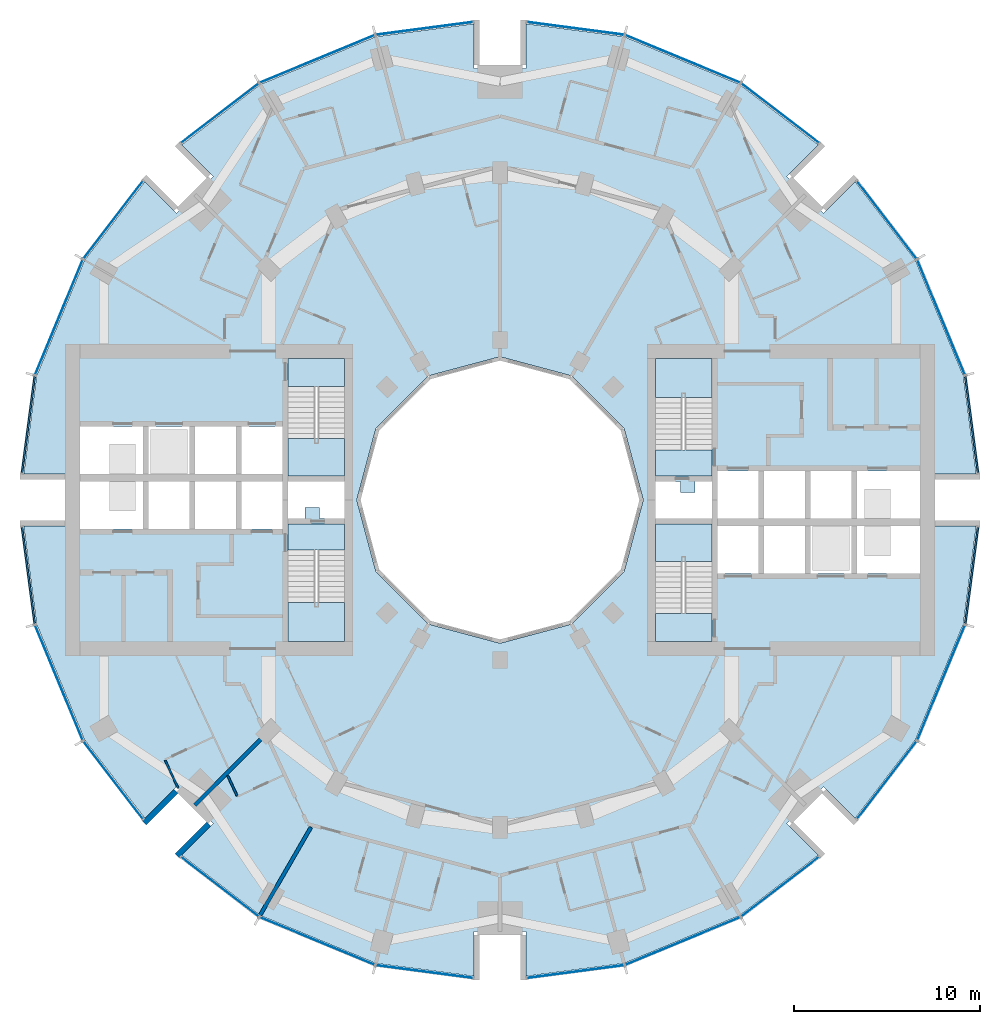
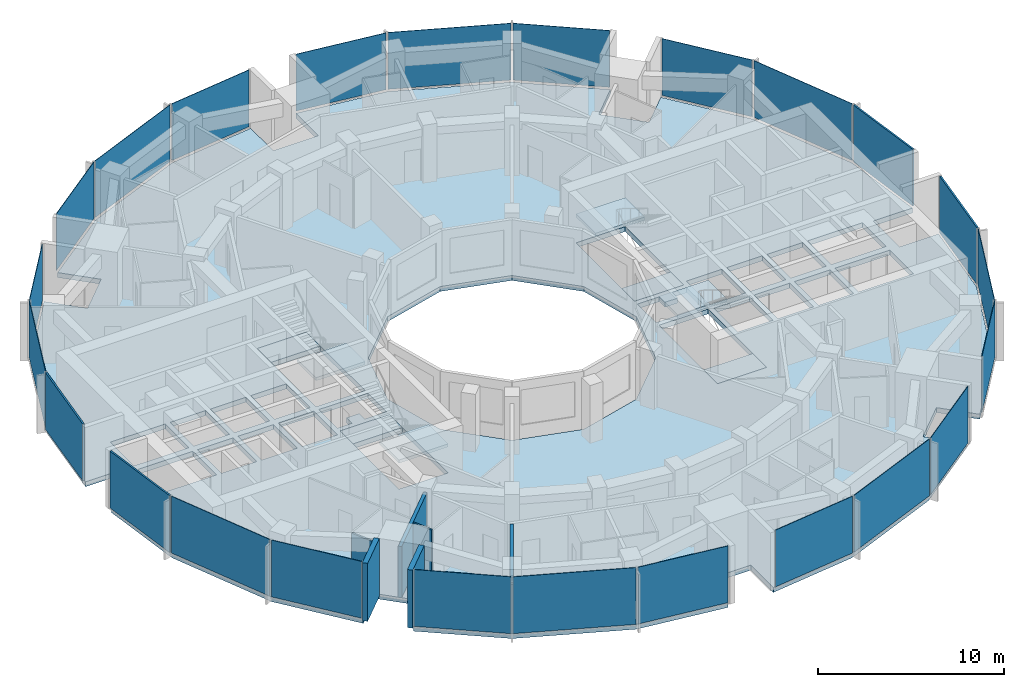
# One storey, part 7 of 15: 24 plates, 9 slabs, 6 walls, 28 elements without a shape of their own.
"""IFC4 building model written with IfcOpenShell, lengths in metres."""

from ifc_helpers import new_model, si_unit, direction, frame, frame_2d, origin, origin_2d, place, context, subcontext, project, spatial, polyline, rectangle, outline, extrude, material, layer, layer_set, type_object, element, aggregate, save


model = new_model("IFC4")

# Units and contexts
model_context = context("Model", 3, precision=1e-05, world=origin(), true_north=direction((0.0, 1.0)))
body_context = subcontext(model_context, "Body", "Model", "MODEL_VIEW")
ifc_project = project(units=[si_unit("LENGTHUNIT", "METRE"), si_unit("AREAUNIT", "SQUARE_METRE"), si_unit("VOLUMEUNIT", "CUBIC_METRE"), si_unit("PLANEANGLEUNIT", "RADIAN"), si_unit("MASSUNIT", "GRAM", prefix="KILO")], contexts=[model_context])

# Site, building, storey
site_placement = place(None, origin())
site = spatial("IfcSite", under=ifc_project, at=site_placement, CompositionType="ELEMENT")
building_placement = place(site_placement, origin())
building = spatial("IfcBuilding", under=site, at=building_placement, Name="Torre Brocal", CompositionType="ELEMENT")
storey_placement = place(building_placement, frame((0.0, 0.0, 90.0)))
storey = spatial("IfcBuildingStorey", under=building, at=storey_placement, Name="L20", CompositionType="ELEMENT", Elevation=90.0)

# Curtain wall, plate
ifc_material_1 = material(Name="Aluminium and glass", Category="aluminium")
ifc_layer_1 = layer(ifc_material_1, 0.199951171875)
ifc_layer_set_1 = layer_set([ifc_layer_1], Name="Aluminium and glass")
curtain_wall_type_1 = type_object("IfcCurtainWallType", Name="CW-1 CURTAIN WALL 3800 HIGH", PredefinedType="NOTDEFINED", material=ifc_layer_set_1)
curtain_wall_1_placement = place(storey_placement, origin())
curtain_wall_1 = element("IfcCurtainWall", 1, at=curtain_wall_1_placement, inside=storey, type_object=curtain_wall_type_1, Name="CW-1 RUN 2", PredefinedType="NOTDEFINED")
ifc_material_2 = material(Name="Glass, dark tinted laminated", Category="glass")
ifc_layer_2 = layer(ifc_material_2, 0.031982421875)
ifc_layer_set_2 = layer_set([ifc_layer_2], Name="Glass, dark tinted laminated")
plate_type_1 = type_object("IfcPlateType", Name="CW-1 GLASS PANEL 32", PredefinedType="CURTAIN_PANEL", material=ifc_layer_set_2)
plate_1_placement = place(storey_placement, frame((103.722900390625, 84.826416015625, 0.080078125), z_axis=(0.0, 0.0, 1.0), x_axis=(-0.382683432333, 0.923879532525, 0.0)))
plate_1 = element("IfcPlate", 2, at=plate_1_placement, type_object=plate_type_1, Name="CW1-1 panel 1.1", PredefinedType="CURTAIN_PANEL", context=body_context, shape_type="SweptSolid", body=[
    extrude(rectangle(XDim=6.64111328125, YDim=0.031982421875, at=origin_2d()), origin(), (0.0, 0.0, 1.0), 3.719970703125),
])
aggregate(curtain_wall_1, [plate_1])

curtain_wall_2_placement = place(storey_placement, origin())
curtain_wall_2 = element("IfcCurtainWall", 3, at=curtain_wall_2_placement, inside=storey, type_object=curtain_wall_type_1, Name="CW-1 RUN 3", PredefinedType="NOTDEFINED")
plate_2_placement = place(storey_placement, frame((100.80126953125, 90.0712890625, 0.080078125), z_axis=(0.0, 0.0, 1.0), x_axis=(-0.60876142905, 0.793353340259, 0.0)))
plate_2 = element("IfcPlate", 4, at=plate_2_placement, type_object=plate_type_1, Name="CW1-1 panel 1.1", PredefinedType="CURTAIN_PANEL", context=body_context, shape_type="SweptSolid", body=[
    extrude(rectangle(XDim=5.22900390625, YDim=0.031982421875, at=origin_2d()), origin(), (0.0, 0.0, 1.0), 3.719970703125),
])
aggregate(curtain_wall_2, [plate_2])

curtain_wall_3_placement = place(storey_placement, origin())
curtain_wall_3 = element("IfcCurtainWall", 5, at=curtain_wall_3_placement, inside=storey, type_object=curtain_wall_type_1, Name="CW-1 RUN 4", PredefinedType="NOTDEFINED")
plate_3_placement = place(storey_placement, frame((95.0712890625, 95.80126953125, 0.080078125), z_axis=(0.0, 0.0, 1.0), x_axis=(-0.793353340259, 0.60876142905, 0.0)))
plate_3 = element("IfcPlate", 6, at=plate_3_placement, type_object=plate_type_1, Name="CW1-1 panel 1.1", PredefinedType="CURTAIN_PANEL", context=body_context, shape_type="SweptSolid", body=[
    extrude(rectangle(XDim=5.22900390625, YDim=0.031982421875, at=origin_2d()), origin(), (0.0, 0.0, 1.0), 3.719970703125),
])
aggregate(curtain_wall_3, [plate_3])

curtain_wall_4_placement = place(storey_placement, origin())
curtain_wall_4 = element("IfcCurtainWall", 7, at=curtain_wall_4_placement, inside=storey, type_object=curtain_wall_type_1, Name="CW-1 RUN 5", PredefinedType="NOTDEFINED")
plate_4_placement = place(storey_placement, frame((89.826416015625, 98.722900390625, 0.080078125), z_axis=(0.0, 0.0, 1.0), x_axis=(-0.923879532525, 0.382683432333, 0.0)))
plate_4 = element("IfcPlate", 8, at=plate_4_placement, type_object=plate_type_1, Name="CW1-1 panel 1.1", PredefinedType="CURTAIN_PANEL", context=body_context, shape_type="SweptSolid", body=[
    extrude(rectangle(XDim=6.64111328125, YDim=0.031982421875, at=origin_2d()), origin(), (0.0, 0.0, 1.0), 3.719970703125),
])
aggregate(curtain_wall_4, [plate_4])

curtain_wall_5_placement = place(storey_placement, origin())
curtain_wall_5 = element("IfcCurtainWall", 9, at=curtain_wall_5_placement, inside=storey, type_object=curtain_wall_type_1, Name="CW-1 RUN 6", PredefinedType="NOTDEFINED")
plate_5_placement = place(storey_placement, frame((84.051513671875, 100.36572265625, 0.080078125), z_axis=(0.0, 0.0, 1.0), x_axis=(-0.991444861374, 0.13052619222, 0.0)))
plate_5 = element("IfcPlate", 10, at=plate_5_placement, type_object=plate_type_1, Name="CW1-1 panel 1.1", PredefinedType="CURTAIN_PANEL", context=body_context, shape_type="SweptSolid", body=[
    extrude(rectangle(XDim=5.22900390625, YDim=0.031982421875, at=origin_2d()), origin(), (0.0, 0.0, 1.0), 3.719970703125),
])
aggregate(curtain_wall_5, [plate_5])

curtain_wall_6_placement = place(storey_placement, origin())
curtain_wall_6 = element("IfcCurtainWall", 11, at=curtain_wall_6_placement, inside=storey, type_object=curtain_wall_type_1, Name="CW-1 RUN 7", PredefinedType="NOTDEFINED")
plate_6_placement = place(storey_placement, frame((75.948486328125, 100.36572265625, 0.080078125), z_axis=(0.0, 0.0, 1.0), x_axis=(-0.991444861374, -0.13052619222, 0.0)))
plate_6 = element("IfcPlate", 12, at=plate_6_placement, type_object=plate_type_1, Name="CW1-1 panel 1.1", PredefinedType="CURTAIN_PANEL", context=body_context, shape_type="SweptSolid", body=[
    extrude(rectangle(XDim=5.22900390625, YDim=0.031982421875, at=origin_2d()), origin(), (0.0, 0.0, 1.0), 3.719970703125),
])
aggregate(curtain_wall_6, [plate_6])

curtain_wall_7_placement = place(storey_placement, origin())
curtain_wall_7 = element("IfcCurtainWall", 13, at=curtain_wall_7_placement, inside=storey, type_object=curtain_wall_type_1, Name="CW-1 RUN 8", PredefinedType="NOTDEFINED")
plate_7_placement = place(storey_placement, frame((70.173583984375, 98.722900390625, 0.080078125), z_axis=(0.0, 0.0, 1.0), x_axis=(-0.923879532525, -0.382683432333, 0.0)))
plate_7 = element("IfcPlate", 14, at=plate_7_placement, type_object=plate_type_1, Name="CW1-1 panel 1.1", PredefinedType="CURTAIN_PANEL", context=body_context, shape_type="SweptSolid", body=[
    extrude(rectangle(XDim=6.64111328125, YDim=0.031982421875, at=origin_2d()), origin(), (0.0, 0.0, 1.0), 3.719970703125),
])
aggregate(curtain_wall_7, [plate_7])

curtain_wall_8_placement = place(storey_placement, origin())
curtain_wall_8 = element("IfcCurtainWall", 15, at=curtain_wall_8_placement, inside=storey, type_object=curtain_wall_type_1, Name="CW-1 RUN 9", PredefinedType="NOTDEFINED")
plate_8_placement = place(storey_placement, frame((64.9287109375, 95.80126953125, 0.080078125), z_axis=(0.0, 0.0, 1.0), x_axis=(-0.793353340259, -0.60876142905, 0.0)))
plate_8 = element("IfcPlate", 16, at=plate_8_placement, type_object=plate_type_1, Name="CW1-1 panel 1.1", PredefinedType="CURTAIN_PANEL", context=body_context, shape_type="SweptSolid", body=[
    extrude(rectangle(XDim=5.22900390625, YDim=0.031982421875, at=origin_2d()), origin(), (0.0, 0.0, 1.0), 3.719970703125),
])
aggregate(curtain_wall_8, [plate_8])

curtain_wall_9_placement = place(storey_placement, origin())
curtain_wall_9 = element("IfcCurtainWall", 17, at=curtain_wall_9_placement, inside=storey, type_object=curtain_wall_type_1, Name="CW-1 RUN 10", PredefinedType="NOTDEFINED")
plate_9_placement = place(storey_placement, frame((59.19873046875, 90.0712890625, 0.080078125), z_axis=(0.0, 0.0, 1.0), x_axis=(-0.60876142905, -0.793353340259, 0.0)))
plate_9 = element("IfcPlate", 18, at=plate_9_placement, type_object=plate_type_1, Name="CW1-1 panel 1.1", PredefinedType="CURTAIN_PANEL", context=body_context, shape_type="SweptSolid", body=[
    extrude(rectangle(XDim=5.22900390625, YDim=0.031982421875, at=origin_2d()), origin(), (0.0, 0.0, 1.0), 3.719970703125),
])
aggregate(curtain_wall_9, [plate_9])

curtain_wall_10_placement = place(storey_placement, origin())
curtain_wall_10 = element("IfcCurtainWall", 19, at=curtain_wall_10_placement, inside=storey, type_object=curtain_wall_type_1, Name="CW-1 RUN 11", PredefinedType="NOTDEFINED")
plate_10_placement = place(storey_placement, frame((56.277099609375, 84.826416015625, 0.080078125), z_axis=(0.0, 0.0, 1.0), x_axis=(-0.382683432333, -0.923879532525, 0.0)))
plate_10 = element("IfcPlate", 20, at=plate_10_placement, type_object=plate_type_1, Name="CW1-1 panel 1.1", PredefinedType="CURTAIN_PANEL", context=body_context, shape_type="SweptSolid", body=[
    extrude(rectangle(XDim=6.64111328125, YDim=0.031982421875, at=origin_2d()), origin(), (0.0, 0.0, 1.0), 3.719970703125),
])
aggregate(curtain_wall_10, [plate_10])

curtain_wall_11_placement = place(storey_placement, origin())
curtain_wall_11 = element("IfcCurtainWall", 21, at=curtain_wall_11_placement, inside=storey, type_object=curtain_wall_type_1, Name="CW-1 RUN 14", PredefinedType="NOTDEFINED")
plate_11_placement = place(storey_placement, frame((56.277099609375, 65.173583984375, 0.080078125), z_axis=(0.0, 0.0, 1.0), x_axis=(0.382683432333, -0.923879532525, 0.0)))
plate_11 = element("IfcPlate", 22, at=plate_11_placement, type_object=plate_type_1, Name="CW1-1 panel 1.1", PredefinedType="CURTAIN_PANEL", context=body_context, shape_type="SweptSolid", body=[
    extrude(rectangle(XDim=6.64111328125, YDim=0.031982421875, at=origin_2d()), origin(), (0.0, 0.0, 1.0), 3.719970703125),
])
aggregate(curtain_wall_11, [plate_11])

curtain_wall_12_placement = place(storey_placement, origin())
curtain_wall_12 = element("IfcCurtainWall", 23, at=curtain_wall_12_placement, inside=storey, type_object=curtain_wall_type_1, Name="CW-1 RUN 15", PredefinedType="NOTDEFINED")
plate_12_placement = place(storey_placement, frame((59.19873046875, 59.9287109375, 0.080078125), z_axis=(0.0, 0.0, 1.0), x_axis=(0.60876142905, -0.793353340259, 0.0)))
plate_12 = element("IfcPlate", 24, at=plate_12_placement, type_object=plate_type_1, Name="CW1-1 panel 1.1", PredefinedType="CURTAIN_PANEL", context=body_context, shape_type="SweptSolid", body=[
    extrude(rectangle(XDim=5.22900390625, YDim=0.031982421875, at=origin_2d()), origin(), (0.0, 0.0, 1.0), 3.719970703125),
])
aggregate(curtain_wall_12, [plate_12])

curtain_wall_13_placement = place(storey_placement, origin())
curtain_wall_13 = element("IfcCurtainWall", 25, at=curtain_wall_13_placement, inside=storey, type_object=curtain_wall_type_1, Name="CW-1 RUN 16", PredefinedType="NOTDEFINED")
plate_13_placement = place(storey_placement, frame((64.9287109375, 54.19873046875, 0.080078125), z_axis=(0.0, 0.0, 1.0), x_axis=(0.793353340259, -0.60876142905, 0.0)))
plate_13 = element("IfcPlate", 26, at=plate_13_placement, type_object=plate_type_1, Name="CW1-1 panel 1.1", PredefinedType="CURTAIN_PANEL", context=body_context, shape_type="SweptSolid", body=[
    extrude(rectangle(XDim=5.22900390625, YDim=0.031982421875, at=origin_2d()), origin(), (0.0, 0.0, 1.0), 3.719970703125),
])
aggregate(curtain_wall_13, [plate_13])

curtain_wall_14_placement = place(storey_placement, origin())
curtain_wall_14 = element("IfcCurtainWall", 27, at=curtain_wall_14_placement, inside=storey, type_object=curtain_wall_type_1, Name="CW-1 RUN 17", PredefinedType="NOTDEFINED")
plate_14_placement = place(storey_placement, frame((70.173583984375, 51.277099609375, 0.080078125), z_axis=(0.0, 0.0, 1.0), x_axis=(0.923879532525, -0.382683432333, 0.0)))
plate_14 = element("IfcPlate", 28, at=plate_14_placement, type_object=plate_type_1, Name="CW1-1 panel 1.1", PredefinedType="CURTAIN_PANEL", context=body_context, shape_type="SweptSolid", body=[
    extrude(rectangle(XDim=6.64111328125, YDim=0.031982421875, at=origin_2d()), origin(), (0.0, 0.0, 1.0), 3.719970703125),
])
aggregate(curtain_wall_14, [plate_14])

curtain_wall_15_placement = place(storey_placement, origin())
curtain_wall_15 = element("IfcCurtainWall", 29, at=curtain_wall_15_placement, inside=storey, type_object=curtain_wall_type_1, Name="CW-1 RUN 18", PredefinedType="NOTDEFINED")
plate_15_placement = place(storey_placement, frame((75.948486328125, 49.63427734375, 0.080078125), z_axis=(0.0, 0.0, 1.0), x_axis=(0.991444861374, -0.13052619222, 0.0)))
plate_15 = element("IfcPlate", 30, at=plate_15_placement, type_object=plate_type_1, Name="CW1-1 panel 1.1", PredefinedType="CURTAIN_PANEL", context=body_context, shape_type="SweptSolid", body=[
    extrude(rectangle(XDim=5.22900390625, YDim=0.031982421875, at=origin_2d()), origin(), (0.0, 0.0, 1.0), 3.719970703125),
])
aggregate(curtain_wall_15, [plate_15])

curtain_wall_16_placement = place(storey_placement, origin())
curtain_wall_16 = element("IfcCurtainWall", 31, at=curtain_wall_16_placement, inside=storey, type_object=curtain_wall_type_1, Name="CW-1 RUN 19", PredefinedType="NOTDEFINED")
plate_16_placement = place(storey_placement, frame((84.051513671875, 49.63427734375, 0.080078125), z_axis=(0.0, 0.0, 1.0), x_axis=(0.991444861374, 0.13052619222, 0.0)))
plate_16 = element("IfcPlate", 32, at=plate_16_placement, type_object=plate_type_1, Name="CW1-1 panel 1.1", PredefinedType="CURTAIN_PANEL", context=body_context, shape_type="SweptSolid", body=[
    extrude(rectangle(XDim=5.22900390625, YDim=0.031982421875, at=origin_2d()), origin(), (0.0, 0.0, 1.0), 3.719970703125),
])
aggregate(curtain_wall_16, [plate_16])

curtain_wall_17_placement = place(storey_placement, origin())
curtain_wall_17 = element("IfcCurtainWall", 33, at=curtain_wall_17_placement, inside=storey, type_object=curtain_wall_type_1, Name="CW-1 RUN 20", PredefinedType="NOTDEFINED")
plate_17_placement = place(storey_placement, frame((89.826416015625, 51.277099609375, 0.080078125), z_axis=(0.0, 0.0, 1.0), x_axis=(0.923879532525, 0.382683432333, 0.0)))
plate_17 = element("IfcPlate", 34, at=plate_17_placement, type_object=plate_type_1, Name="CW1-1 panel 1.1", PredefinedType="CURTAIN_PANEL", context=body_context, shape_type="SweptSolid", body=[
    extrude(rectangle(XDim=6.64111328125, YDim=0.031982421875, at=origin_2d()), origin(), (0.0, 0.0, 1.0), 3.719970703125),
])
aggregate(curtain_wall_17, [plate_17])

curtain_wall_18_placement = place(storey_placement, origin())
curtain_wall_18 = element("IfcCurtainWall", 35, at=curtain_wall_18_placement, inside=storey, type_object=curtain_wall_type_1, Name="CW-1 RUN 21", PredefinedType="NOTDEFINED")
plate_18_placement = place(storey_placement, frame((95.0712890625, 54.19873046875, 0.080078125), z_axis=(0.0, 0.0, 1.0), x_axis=(0.793353340259, 0.60876142905, 0.0)))
plate_18 = element("IfcPlate", 36, at=plate_18_placement, type_object=plate_type_1, Name="CW1-1 panel 1.1", PredefinedType="CURTAIN_PANEL", context=body_context, shape_type="SweptSolid", body=[
    extrude(rectangle(XDim=5.22900390625, YDim=0.031982421875, at=origin_2d()), origin(), (0.0, 0.0, 1.0), 3.719970703125),
])
aggregate(curtain_wall_18, [plate_18])

curtain_wall_19_placement = place(storey_placement, origin())
curtain_wall_19 = element("IfcCurtainWall", 37, at=curtain_wall_19_placement, inside=storey, type_object=curtain_wall_type_1, Name="CW-1 RUN 22", PredefinedType="NOTDEFINED")
plate_19_placement = place(storey_placement, frame((100.80126953125, 59.9287109375, 0.080078125), z_axis=(0.0, 0.0, 1.0), x_axis=(0.60876142905, 0.793353340259, 0.0)))
plate_19 = element("IfcPlate", 38, at=plate_19_placement, type_object=plate_type_1, Name="CW1-1 panel 1.1", PredefinedType="CURTAIN_PANEL", context=body_context, shape_type="SweptSolid", body=[
    extrude(rectangle(XDim=5.22900390625, YDim=0.031982421875, at=origin_2d()), origin(), (0.0, 0.0, 1.0), 3.719970703125),
])
aggregate(curtain_wall_19, [plate_19])

curtain_wall_20_placement = place(storey_placement, origin())
curtain_wall_20 = element("IfcCurtainWall", 39, at=curtain_wall_20_placement, inside=storey, type_object=curtain_wall_type_1, Name="CW-1 RUN 23", PredefinedType="NOTDEFINED")
plate_20_placement = place(storey_placement, frame((103.722900390625, 65.173583984375, 0.080078125), z_axis=(0.0, 0.0, 1.0), x_axis=(0.382683432333, 0.923879532525, 0.0)))
plate_20 = element("IfcPlate", 40, at=plate_20_placement, type_object=plate_type_1, Name="CW1-1 panel 1.1", PredefinedType="CURTAIN_PANEL", context=body_context, shape_type="SweptSolid", body=[
    extrude(rectangle(XDim=6.64111328125, YDim=0.031982421875, at=origin_2d()), origin(), (0.0, 0.0, 1.0), 3.719970703125),
])
aggregate(curtain_wall_20, [plate_20])

ifc_material_3 = material(Name="Aluminium and glass", Category="aluminium")
ifc_layer_3 = layer(ifc_material_3, 0.199951171875)
ifc_layer_set_3 = layer_set([ifc_layer_3], Name="Aluminium and glass")
curtain_wall_type_2 = type_object("IfcCurtainWallType", Name="CW-1B CURTAIN WALL 3800 HIGH", PredefinedType="NOTDEFINED", material=ifc_layer_set_3)
curtain_wall_21_placement = place(storey_placement, origin())
curtain_wall_21 = element("IfcCurtainWall", 41, at=curtain_wall_21_placement, inside=storey, type_object=curtain_wall_type_2, Name="CW-1B RUN 1", PredefinedType="NOTDEFINED")
ifc_material_4 = material(Name="Aluminium composite panel", Category="aluminium")
ifc_layer_4 = layer(ifc_material_4, 0.10009765625)
ifc_layer_set_4 = layer_set([ifc_layer_4], Name="Aluminium composite panel")
plate_type_2 = type_object("IfcPlateType", Name="CW-1B OPAQUE PANEL 100", PredefinedType="CURTAIN_PANEL", material=ifc_layer_set_4)
plate_21_placement = place(storey_placement, frame((105.36572265625, 79.051513671875, 0.080078125), z_axis=(0.0, 0.0, 1.0), x_axis=(-0.13052619222, 0.991444861374, 0.0)))
plate_21 = element("IfcPlate", 42, at=plate_21_placement, type_object=plate_type_2, Name="CW1B-1 panel 1.1", PredefinedType="CURTAIN_PANEL", context=body_context, shape_type="SweptSolid", body=[
    extrude(rectangle(XDim=5.22900390625, YDim=0.10009765625, at=origin_2d()), origin(), (0.0, 0.0, 1.0), 3.719970703125),
])
aggregate(curtain_wall_21, [plate_21])

curtain_wall_22_placement = place(storey_placement, origin())
curtain_wall_22 = element("IfcCurtainWall", 43, at=curtain_wall_22_placement, inside=storey, type_object=curtain_wall_type_2, Name="CW-1B RUN 12", PredefinedType="NOTDEFINED")
plate_22_placement = place(storey_placement, frame((54.63427734375, 79.051513671875, 0.080078125), z_axis=(0.0, 0.0, 1.0), x_axis=(-0.13052619222, -0.991444861374, 0.0)))
plate_22 = element("IfcPlate", 44, at=plate_22_placement, type_object=plate_type_2, Name="CW1B-1 panel 1.1", PredefinedType="CURTAIN_PANEL", context=body_context, shape_type="SweptSolid", body=[
    extrude(rectangle(XDim=5.22900390625, YDim=0.10009765625, at=origin_2d()), origin(), (0.0, 0.0, 1.0), 3.719970703125),
])
aggregate(curtain_wall_22, [plate_22])

curtain_wall_23_placement = place(storey_placement, origin())
curtain_wall_23 = element("IfcCurtainWall", 45, at=curtain_wall_23_placement, inside=storey, type_object=curtain_wall_type_2, Name="CW-1B RUN 13", PredefinedType="NOTDEFINED")
plate_23_placement = place(storey_placement, frame((54.63427734375, 70.948486328125, 0.080078125), z_axis=(0.0, 0.0, 1.0), x_axis=(0.13052619222, -0.991444861374, 0.0)))
plate_23 = element("IfcPlate", 46, at=plate_23_placement, type_object=plate_type_2, Name="CW1B-1 panel 1.1", PredefinedType="CURTAIN_PANEL", context=body_context, shape_type="SweptSolid", body=[
    extrude(rectangle(XDim=5.22900390625, YDim=0.10009765625, at=origin_2d()), origin(), (0.0, 0.0, 1.0), 3.719970703125),
])
aggregate(curtain_wall_23, [plate_23])

curtain_wall_24_placement = place(storey_placement, origin())
curtain_wall_24 = element("IfcCurtainWall", 47, at=curtain_wall_24_placement, inside=storey, type_object=curtain_wall_type_2, Name="CW-1B RUN 24", PredefinedType="NOTDEFINED")
plate_24_placement = place(storey_placement, frame((105.36572265625, 70.948486328125, 0.080078125), z_axis=(0.0, 0.0, 1.0), x_axis=(0.13052619222, 0.991444861374, 0.0)))
plate_24 = element("IfcPlate", 48, at=plate_24_placement, type_object=plate_type_2, Name="CW1B-1 panel 1.1", PredefinedType="CURTAIN_PANEL", context=body_context, shape_type="SweptSolid", body=[
    extrude(rectangle(XDim=5.22900390625, YDim=0.10009765625, at=origin_2d()), origin(), (0.0, 0.0, 1.0), 3.719970703125),
])
aggregate(curtain_wall_24, [plate_24])

# Stair, slab
ifc_material_5 = material(Name="Concrete C50", Category="concrete")
stair_type = type_object("IfcStairType", Name="EXIT STAIR", PredefinedType="HALF_TURN_STAIR", material=ifc_material_5)
stair_1_placement = place(storey_placement, origin())
stair_1 = element("IfcStair", 49, at=stair_1_placement, inside=storey, type_object=stair_type, Name="EXIT STAIR ST1", PredefinedType="HALF_TURN_STAIR")
ifc_material_6 = material(Name="Concrete C50", Category="concrete")
ifc_layer_5 = layer(ifc_material_6, 0.320068359375)
ifc_layer_set_5 = layer_set([ifc_layer_5], Name="Concrete C50")
slab_type_1 = type_object("IfcSlabType", Name="FLOOR LANDING 320", PredefinedType="LANDING", material=ifc_layer_set_5)
slab_1_placement = place(storey_placement, frame((0.0, 0.0, -0.320068359375)))
slab_1 = element("IfcSlab", 50, at=slab_1_placement, type_object=slab_type_1, Name="ST1 landing 1", PredefinedType="LANDING", context=body_context, shape_type="SweptSolid", body=[
    extrude(outline(polyline([(88.35009765625, 76.300048828125), (91.39990234375, 76.300048828125), (91.39990234375, 77.699951171875), (88.35009765625, 77.699951171875), (88.35009765625, 76.300048828125)])), origin(), (0.0, 0.0, 1.0), 0.320068359375),
])

stair_2_placement = place(storey_placement, origin())
stair_2 = element("IfcStair", 51, at=stair_2_placement, inside=storey, type_object=stair_type, Name="EXIT STAIR ST2", PredefinedType="HALF_TURN_STAIR")
slab_2_placement = place(storey_placement, frame((0.0, 0.0, -0.320068359375)))
slab_2 = element("IfcSlab", 52, at=slab_2_placement, type_object=slab_type_1, Name="ST2 landing 1", PredefinedType="LANDING", context=body_context, shape_type="SweptSolid", body=[
    extrude(outline(polyline([(88.35009765625, 67.39990234375), (91.39990234375, 67.39990234375), (91.39990234375, 68.89990234375), (88.35009765625, 68.89990234375), (88.35009765625, 67.39990234375)])), origin(), (0.0, 0.0, 1.0), 0.320068359375),
])

stair_3_placement = place(storey_placement, origin())
stair_3 = element("IfcStair", 53, at=stair_3_placement, inside=storey, type_object=stair_type, Name="EXIT STAIR ST3", PredefinedType="HALF_TURN_STAIR")
slab_3_placement = place(storey_placement, frame((0.0, 0.0, -0.320068359375)))
slab_3 = element("IfcSlab", 54, at=slab_3_placement, type_object=slab_type_1, Name="ST3 landing 1", PredefinedType="LANDING", context=body_context, shape_type="SweptSolid", body=[
    extrude(outline(polyline([(71.64990234375, 73.699951171875), (68.60009765625, 73.699951171875), (68.60009765625, 72.300048828125), (71.64990234375, 72.300048828125), (71.64990234375, 73.699951171875)])), origin(), (0.0, 0.0, 1.0), 0.320068359375),
])

stair_4_placement = place(storey_placement, origin())
stair_4 = element("IfcStair", 55, at=stair_4_placement, inside=storey, type_object=stair_type, Name="EXIT STAIR ST4", PredefinedType="HALF_TURN_STAIR")
slab_4_placement = place(storey_placement, frame((0.0, 0.0, -0.320068359375)))
slab_4 = element("IfcSlab", 56, at=slab_4_placement, type_object=slab_type_1, Name="ST4 landing 1", PredefinedType="LANDING", context=body_context, shape_type="SweptSolid", body=[
    extrude(outline(polyline([(71.64990234375, 82.60009765625), (68.60009765625, 82.60009765625), (68.60009765625, 81.10009765625), (71.64990234375, 81.10009765625), (71.64990234375, 82.60009765625)])), origin(), (0.0, 0.0, 1.0), 0.320068359375),
])

# Slab
ifc_material_7 = material(Name="Concrete C50", Category="concrete")
ifc_layer_6 = layer(ifc_material_7, 0.199951171875)
ifc_layer_set_6 = layer_set([ifc_layer_6], Name="Concrete C50")
slab_type_2 = type_object("IfcSlabType", Name="MID LANDING +1900", PredefinedType="LANDING", material=ifc_layer_set_6)
slab_5_placement = place(storey_placement, frame((0.0, 0.0, 1.699951171875)))
slab_5 = element("IfcSlab", 57, at=slab_5_placement, type_object=slab_type_2, Name="ST1 landing 2", PredefinedType="LANDING", context=body_context, shape_type="SweptSolid", body=[
    extrude(outline(polyline([(88.35009765625, 80.5), (91.39990234375, 80.5), (91.39990234375, 82.60009765625), (88.35009765625, 82.60009765625), (88.35009765625, 80.5)])), origin(), (0.0, 0.0, 1.0), 0.199951171875),
])

aggregate(stair_1, [slab_1, slab_5])

slab_6_placement = place(storey_placement, frame((0.0, 0.0, 1.699951171875)))
slab_6 = element("IfcSlab", 58, at=slab_6_placement, type_object=slab_type_2, Name="ST2 landing 2", PredefinedType="LANDING", context=body_context, shape_type="SweptSolid", body=[
    extrude(outline(polyline([(88.35009765625, 71.699951171875), (91.39990234375, 71.699951171875), (91.39990234375, 73.699951171875), (88.35009765625, 73.699951171875), (88.35009765625, 71.699951171875)])), origin(), (0.0, 0.0, 1.0), 0.199951171875),
])

aggregate(stair_2, [slab_2, slab_6])

slab_7_placement = place(storey_placement, frame((0.0, 0.0, 1.699951171875)))
slab_7 = element("IfcSlab", 59, at=slab_7_placement, type_object=slab_type_2, Name="ST3 landing 2", PredefinedType="LANDING", context=body_context, shape_type="SweptSolid", body=[
    extrude(outline(polyline([(71.64990234375, 69.5), (68.60009765625, 69.5), (68.60009765625, 67.39990234375), (71.64990234375, 67.39990234375), (71.64990234375, 69.5)])), origin(), (0.0, 0.0, 1.0), 0.199951171875),
])

aggregate(stair_3, [slab_3, slab_7])

slab_8_placement = place(storey_placement, frame((0.0, 0.0, 1.699951171875)))
slab_8 = element("IfcSlab", 60, at=slab_8_placement, type_object=slab_type_2, Name="ST4 landing 2", PredefinedType="LANDING", context=body_context, shape_type="SweptSolid", body=[
    extrude(outline(polyline([(71.64990234375, 78.300048828125), (68.60009765625, 78.300048828125), (68.60009765625, 76.300048828125), (71.64990234375, 76.300048828125), (71.64990234375, 78.300048828125)])), origin(), (0.0, 0.0, 1.0), 0.199951171875),
])

aggregate(stair_4, [slab_4, slab_8])

ifc_material_8 = material(Name="Concrete C45", Category="concrete")
ifc_layer_7 = layer(ifc_material_8, 0.320068359375)
ifc_layer_set_7 = layer_set([ifc_layer_7], Name="Concrete C45")
slab_type_3 = type_object("IfcSlabType", Name="PT FLOOR SLAB 320 C45", PredefinedType="FLOOR", material=ifc_layer_set_7)
slab_9_placement = place(storey_placement, frame((0.0, 0.0, -0.320068359375)))
element("IfcSlab", 61, at=slab_9_placement, inside=storey, type_object=slab_type_3, Name="Slab ST-05", PredefinedType="FLOOR", context=body_context, shape_type="SweptSolid", body=[
    extrude(outline(polyline([(103.199951171875, 76.39990234375), (103.199951171875, 73.60009765625), (105.614013671875, 73.60009765625), (104.919189453125, 68.322998046875), (102.342041015625, 62.100830078125), (99.101806640625, 57.878173828125), (97.394775390625, 59.5849609375), (95.4150390625, 57.605224609375), (97.121826171875, 55.898193359375), (92.899169921875, 52.657958984375), (86.677001953125, 50.080810546875), (81.39990234375, 49.385986328125), (81.39990234375, 51.800048828125), (78.60009765625, 51.800048828125), (78.60009765625, 49.385986328125), (73.322998046875, 50.080810546875), (67.100830078125, 52.657958984375), (62.878173828125, 55.898193359375), (64.5849609375, 57.605224609375), (62.605224609375, 59.5849609375), (60.898193359375, 57.878173828125), (57.657958984375, 62.100830078125), (55.080810546875, 68.322998046875), (54.385986328125, 73.60009765625), (56.800048828125, 73.60009765625), (56.800048828125, 76.39990234375), (54.385986328125, 76.39990234375), (55.080810546875, 81.677001953125), (57.657958984375, 87.899169921875), (60.898193359375, 92.121826171875), (62.605224609375, 90.4150390625), (64.5849609375, 92.394775390625), (62.878173828125, 94.101806640625), (67.100830078125, 97.342041015625), (73.322998046875, 99.919189453125), (78.60009765625, 100.614013671875), (78.60009765625, 98.199951171875), (81.39990234375, 98.199951171875), (81.39990234375, 100.614013671875), (86.677001953125, 99.919189453125), (92.899169921875, 97.342041015625), (97.121826171875, 94.101806640625), (95.4150390625, 92.394775390625), (97.394775390625, 90.4150390625), (99.101806640625, 92.121826171875), (102.342041015625, 87.899169921875), (104.919189453125, 81.677001953125), (105.614013671875, 76.39990234375), (103.199951171875, 76.39990234375)]), holes=[polyline([(102.60009765625, 74.0), (102.60009765625, 76.550048828125), (99.199951171875, 76.550048828125), (99.199951171875, 74.0), (102.60009765625, 74.0)]), polyline([(102.60009765625, 71.050048828125), (102.60009765625, 73.60009765625), (99.199951171875, 73.60009765625), (99.199951171875, 71.050048828125), (102.60009765625, 71.050048828125)]), polyline([(98.89990234375, 76.550048828125), (96.699951171875, 76.550048828125), (96.699951171875, 74.0), (98.89990234375, 74.0), (98.89990234375, 76.550048828125)]), polyline([(98.89990234375, 71.050048828125), (98.89990234375, 73.60009765625), (96.699951171875, 73.60009765625), (96.699951171875, 71.050048828125), (98.89990234375, 71.050048828125)]), polyline([(96.39990234375, 73.60009765625), (94.199951171875, 73.60009765625), (94.199951171875, 71.050048828125), (96.39990234375, 71.050048828125), (96.39990234375, 73.60009765625)]), polyline([(96.39990234375, 74.0), (96.39990234375, 76.550048828125), (94.199951171875, 76.550048828125), (94.199951171875, 74.0), (96.39990234375, 74.0)]), polyline([(93.89990234375, 73.60009765625), (91.699951171875, 73.60009765625), (91.699951171875, 71.050048828125), (93.89990234375, 71.050048828125), (93.89990234375, 73.60009765625)]), polyline([(93.89990234375, 74.0), (93.89990234375, 76.550048828125), (91.699951171875, 76.550048828125), (91.699951171875, 74.0), (93.89990234375, 74.0)]), polyline([(91.39990234375, 76.300048828125), (91.39990234375, 82.60009765625), (88.35009765625, 82.60009765625), (88.35009765625, 76.300048828125), (91.39990234375, 76.300048828125)]), polyline([(91.39990234375, 73.699951171875), (88.35009765625, 73.699951171875), (88.35009765625, 67.39990234375), (91.39990234375, 67.39990234375), (91.39990234375, 73.699951171875)]), polyline([(89.699951171875, 76.0), (88.35009765625, 76.0), (88.35009765625, 74.0), (91.39990234375, 74.0), (91.39990234375, 76.0), (90.5, 76.0), (90.5, 75.39990234375), (89.699951171875, 75.39990234375), (89.699951171875, 76.0)]), polyline([(80.0, 82.70703125), (76.146484375, 81.674560546875), (73.325439453125, 78.853515625), (72.29296875, 75.0), (73.325439453125, 71.146484375), (76.146484375, 68.325439453125), (80.0, 67.29296875), (83.853515625, 68.325439453125), (86.674560546875, 71.146484375), (87.70703125, 75.0), (86.674560546875, 78.853515625), (83.853515625, 81.674560546875), (80.0, 82.70703125)]), polyline([(68.60009765625, 82.60009765625), (68.60009765625, 76.300048828125), (71.64990234375, 76.300048828125), (71.64990234375, 82.60009765625), (68.60009765625, 82.60009765625)]), polyline([(70.300048828125, 74.0), (71.64990234375, 74.0), (71.64990234375, 76.0), (68.60009765625, 76.0), (68.60009765625, 74.0), (69.5, 74.0), (69.5, 74.60009765625), (70.300048828125, 74.60009765625), (70.300048828125, 74.0)]), polyline([(68.60009765625, 67.39990234375), (71.64990234375, 67.39990234375), (71.64990234375, 73.699951171875), (68.60009765625, 73.699951171875), (68.60009765625, 67.39990234375)]), polyline([(66.10009765625, 78.949951171875), (66.10009765625, 76.39990234375), (68.300048828125, 76.39990234375), (68.300048828125, 78.949951171875), (66.10009765625, 78.949951171875)]), polyline([(66.10009765625, 76.0), (66.10009765625, 73.449951171875), (68.300048828125, 73.449951171875), (68.300048828125, 76.0), (66.10009765625, 76.0)]), polyline([(63.60009765625, 76.0), (63.60009765625, 73.449951171875), (65.800048828125, 73.449951171875), (65.800048828125, 76.0), (63.60009765625, 76.0)]), polyline([(63.60009765625, 76.39990234375), (65.800048828125, 76.39990234375), (65.800048828125, 78.949951171875), (63.60009765625, 78.949951171875), (63.60009765625, 76.39990234375)]), polyline([(61.10009765625, 78.949951171875), (61.10009765625, 76.39990234375), (63.300048828125, 76.39990234375), (63.300048828125, 78.949951171875), (61.10009765625, 78.949951171875)]), polyline([(61.10009765625, 73.449951171875), (63.300048828125, 73.449951171875), (63.300048828125, 76.0), (61.10009765625, 76.0), (61.10009765625, 73.449951171875)]), polyline([(57.39990234375, 73.449951171875), (60.800048828125, 73.449951171875), (60.800048828125, 76.0), (57.39990234375, 76.0), (57.39990234375, 73.449951171875)]), polyline([(57.39990234375, 78.949951171875), (57.39990234375, 76.39990234375), (60.800048828125, 76.39990234375), (60.800048828125, 78.949951171875), (57.39990234375, 78.949951171875)])]), origin(), (0.0, 0.0, 1.0), 0.320068359375),
])

# Walls
ifc_material_9 = material(Name="Concrete C80", Category="concrete")
ifc_layer_8 = layer(ifc_material_9, 0.300048828125)
ifc_layer_set_8 = layer_set([ifc_layer_8], Name="Concrete C80")
wall_type_1 = type_object("IfcWallType", Name="NOTCH RETURN WALL 300 C80", PredefinedType="NOTDEFINED", material=ifc_layer_set_8)
for number, where, z_axis, x_axis, name in (
    (62, (62.56982421875, 59.337646484375, 0.0), (0.0, 0.0, 1.0), (-0.707106781187, -0.707106781187, 0.0), "NOTCH RETURN WALL"),
    (63, (64.337646484375, 57.56982421875, 0.0), (0.0, 0.0, 1.0), (-0.707106781187, -0.707106781187, 0.0), "NOTCH RETURN WALL"),
):
    element("IfcWall", number, at=place(storey_placement, frame(where, z_axis=z_axis, x_axis=x_axis)), inside=storey, type_object=wall_type_1, Name=name, PredefinedType="NOTDEFINED", context=body_context, shape_type="SweptSolid", body=[
        extrude(rectangle(XDim=2.415771484375, YDim=0.300048828125, at=frame_2d((1.2080078125, 0.0))), origin(), (0.0, 0.0, 1.0), 3.800048828125),
    ])
ifc_material_10 = material(Name="Gypsum board", Category="Gypsum")
ifc_layer_9 = layer(ifc_material_10, 0.10009765625)
ifc_layer_set_9 = layer_set([ifc_layer_9], Name="Gypsum board")
wall_type_2 = type_object("IfcWallType", Name="PARTITION 100", PredefinedType="PARTITIONING", material=ifc_layer_set_9)
wall_1_placement = place(storey_placement, frame((61.99609375, 60.99169921875, 0.0), z_axis=(0.0, 0.0, 1.0), x_axis=(0.422318684634, -0.906447421867, 0.0)))
element("IfcWall", 64, at=wall_1_placement, inside=storey, type_object=wall_type_2, Name="BATHROOM WALL", PredefinedType="PARTITIONING", context=body_context, shape_type="SweptSolid", body=[
    extrude(rectangle(XDim=1.62744140625, YDim=0.10009765625, at=frame_2d((0.813720703125, 0.0))), origin(), (0.0, 0.0, 1.0), 3.35009765625),
])
wall_2_placement = place(storey_placement, frame((65.34765625, 60.188232421875, 0.0), z_axis=(0.0, 0.0, 1.0), x_axis=(0.422387529151, -0.906415343657, 0.0)))
element("IfcWall", 65, at=wall_2_placement, inside=storey, type_object=wall_type_2, Name="BATHROOM WALL", PredefinedType="PARTITIONING", context=body_context, shape_type="SweptSolid", body=[
    extrude(rectangle(XDim=1.2080078125, YDim=0.10009765625, at=frame_2d((0.60400390625, 0.0))), origin(), (0.0, 0.0, 1.0), 3.35009765625),
])
ifc_material_11 = material(Name="Gypsum board", Category="Gypsum")
ifc_layer_10 = layer(ifc_material_11, 0.199951171875)
ifc_layer_set_10 = layer_set([ifc_layer_10], Name="Gypsum board")
wall_type_3 = type_object("IfcWallType", Name="PARTITION 200 EI60", PredefinedType="PARTITIONING", material=ifc_layer_set_10)
wall_3_placement = place(storey_placement, frame((63.592529296875, 58.598876953125, 0.0), z_axis=(0.0, 0.0, 1.0), x_axis=(0.707292874152, 0.706920639233, 0.0)))
element("IfcWall", 66, at=wall_3_placement, inside=storey, type_object=wall_type_3, Name="BATHROOM WALL", PredefinedType="PARTITIONING", context=body_context, shape_type="SweptSolid", body=[
    extrude(rectangle(XDim=5.2470703125, YDim=0.199951171875, at=frame_2d((2.62353515625, 0.0))), origin(), (0.0, 0.0, 1.0), 3.35009765625),
])
wall_4_placement = place(storey_placement, frame((67.094482421875, 52.66259765625, 0.0), z_axis=(0.0, 0.0, 1.0), x_axis=(0.50023225055, 0.865891272337, 0.0)))
element("IfcWall", 67, at=wall_4_placement, inside=storey, type_object=wall_type_3, Name="PARTY PARTITION", PredefinedType="PARTITIONING", context=body_context, shape_type="SweptSolid", body=[
    extrude(rectangle(XDim=5.4716796875, YDim=0.199951171875, at=frame_2d((2.73583984375, 0.0))), origin(), (0.0, 0.0, 1.0), 3.35009765625),
])

save(model, "model.ifc")
